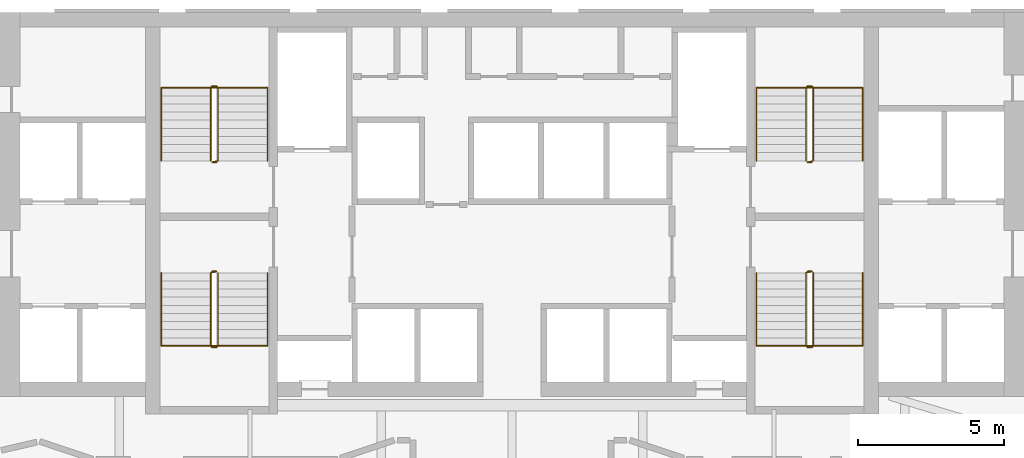
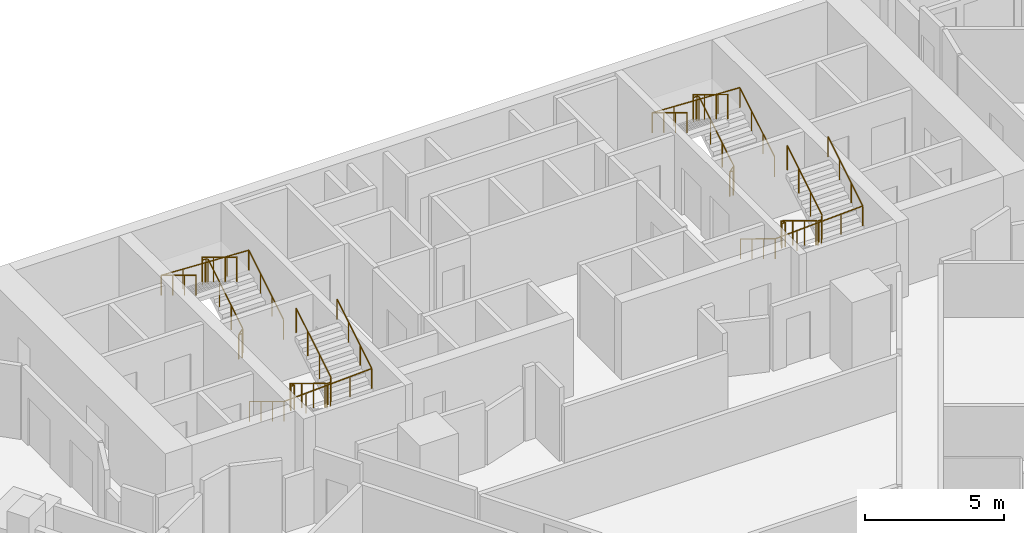
# One storey, part 10 of 10: 8 railings.
"""IFC4 building model written with IfcOpenShell, lengths in metres."""

from ifc_helpers import new_model, si_unit, direction, frame, origin, origin_2d, place, context, subcontext, project, spatial, circle, extrude, material, type_object, element, save


model = new_model("IFC4")

# Units and contexts
model_context = context("Model", 3, precision=1e-05, world=origin(), true_north=direction((0.0, 1.0)))
body_context = subcontext(model_context, "Body", "Model", "MODEL_VIEW")
ifc_project = project(units=[si_unit("LENGTHUNIT", "METRE"), si_unit("AREAUNIT", "SQUARE_METRE"), si_unit("VOLUMEUNIT", "CUBIC_METRE"), si_unit("PLANEANGLEUNIT", "RADIAN"), si_unit("MASSUNIT", "GRAM", prefix="KILO")], contexts=[model_context])

# Site, building, storey
site_placement = place(None, origin())
site = spatial("IfcSite", under=ifc_project, at=site_placement, CompositionType="ELEMENT")
building_placement = place(site_placement, origin())
building = spatial("IfcBuilding", under=site, at=building_placement, Name="Calabash Gate Tower", CompositionType="ELEMENT")
storey_placement = place(building_placement, frame((0.0, 0.0, 69.800048828125)))
storey = spatial("IfcBuildingStorey", under=building, at=storey_placement, Name="L13", CompositionType="ELEMENT", Elevation=69.800048828125)

# Railings
ifc_material_1 = material(Name="Black powder-coated steel balusters", Category="steel")
railing_type_1 = type_object("IfcRailingType", Name="Stair guard RL1100", PredefinedType="GUARDRAIL", material=ifc_material_1)
railing_1_placement = place(storey_placement, frame((-10.14990234375, 13.902587890625, 0.0)))
element("IfcRailing", 1, at=railing_1_placement, inside=storey, type_object=railing_type_1, Name="L13 ST1 stair guard 1", PredefinedType="GUARDRAIL", context=body_context, shape_type="SweptSolid", body=[
    extrude(circle(Radius=0.02392578125, at=origin_2d()), frame((0.0, 0.0, 1.076171875), z_axis=(-1.0, 0.0, 0.0), x_axis=(0.0, -1.0, 0.0)), (0.0, 0.0, 1.0), 0.150146484375),
    extrude(circle(Radius=0.02392578125, at=origin_2d()), frame((-0.150146484375, 0.0, 1.076171875), z_axis=(0.748514443355, 0.187357095101, 0.636100186295), x_axis=(-0.242814311512, 0.970072785993, 0.0)), (0.0, 0.0, 1.0), 0.26708984375),
    extrude(circle(Radius=0.02392578125, at=origin_2d()), frame((0.0498046875, 0.050048828125, 1.24609375), z_axis=(0.0, 0.853956361026, 0.520344629514), x_axis=(-1.0, 0.0, 0.0)), (0.0, 0.0, 1.0), 2.9404296875),
    extrude(circle(Radius=0.02392578125, at=origin_2d()), frame((0.0498046875, 2.56103515625, 2.77587890625), z_axis=(-0.705375805398, 0.708833529934, 0.0), x_axis=(-0.708833529934, -0.705375805398, 0.0)), (0.0, 0.0, 1.0), 0.070556640625),
    extrude(circle(Radius=0.02392578125, at=origin_2d()), frame((0.0, 2.611083984375, 2.77587890625), z_axis=(-1.0, 0.0, 0.0), x_axis=(0.0, -1.0, 0.0)), (0.0, 0.0, 1.0), 0.150146484375),
    extrude(circle(Radius=0.02392578125, at=origin_2d()), frame((-0.150146484375, 2.611083984375, 2.77587890625), z_axis=(-0.271895245746, -0.271895245746, 0.923117517265), x_axis=(0.707106781187, -0.707106781187, 0.0)), (0.0, 0.0, 1.0), 0.18408203125),
    extrude(circle(Radius=0.02392578125, at=origin_2d()), frame((-0.2001953125, 2.56103515625, 2.94580078125), z_axis=(0.0, -0.853956361026, 0.520344629514), x_axis=(1.0, 0.0, 0.0)), (0.0, 0.0, 1.0), 2.9404296875),
    extrude(circle(Radius=0.02099609375, at=origin_2d()), origin(), (0.0, 0.0, 1.0), 1.052001953125),
    extrude(circle(Radius=0.02099609375, at=origin_2d()), frame((-0.150146484375, 0.0, 0.0)), (0.0, 0.0, 1.0), 1.052001953125),
    extrude(circle(Radius=0.02099609375, at=origin_2d()), frame((0.0498046875, 0.050048828125, 0.169921875)), (0.0, 0.0, 1.0), 1.052001953125),
    extrude(circle(Radius=0.02099609375, at=origin_2d()), frame((0.0498046875, 0.886962890625, 0.679931640625)), (0.0, 0.0, 1.0), 1.052001953125),
    extrude(circle(Radius=0.02099609375, at=origin_2d()), frame((0.0498046875, 1.72412109375, 1.18994140625)), (0.0, 0.0, 1.0), 1.052001953125),
    extrude(circle(Radius=0.02099609375, at=origin_2d()), frame((0.0498046875, 2.56103515625, 1.699951171875)), (0.0, 0.0, 1.0), 1.052001953125),
    extrude(circle(Radius=0.02099609375, at=origin_2d()), frame((0.0, 2.611083984375, 1.699951171875)), (0.0, 0.0, 1.0), 1.052001953125),
    extrude(circle(Radius=0.02099609375, at=origin_2d()), frame((-0.150146484375, 2.611083984375, 1.699951171875)), (0.0, 0.0, 1.0), 1.052001953125),
    extrude(circle(Radius=0.02099609375, at=origin_2d()), frame((-0.2001953125, 2.56103515625, 1.869873046875)), (0.0, 0.0, 1.0), 1.052001953125),
    extrude(circle(Radius=0.02099609375, at=origin_2d()), frame((-0.2001953125, 1.72412109375, 2.3798828125)), (0.0, 0.0, 1.0), 1.052001953125),
    extrude(circle(Radius=0.02099609375, at=origin_2d()), frame((-0.2001953125, 0.886962890625, 2.889892578125)), (0.0, 0.0, 1.0), 1.052001953125),
    extrude(circle(Radius=0.02099609375, at=origin_2d()), frame((-0.2001953125, 0.050048828125, 3.39990234375)), (0.0, 0.0, 1.0), 1.052001953125),
])
railing_2_placement = place(storey_placement, frame((-10.300048828125, 10.152587890625, 0.0)))
element("IfcRailing", 2, at=railing_2_placement, inside=storey, type_object=railing_type_1, Name="L13 ST2 stair guard 1", PredefinedType="GUARDRAIL", context=body_context, shape_type="SweptSolid", body=[
    extrude(circle(Radius=0.02392578125, at=origin_2d()), frame((0.0, 0.0, 1.076171875), z_axis=(1.0, 0.0, 0.0), x_axis=(0.0, 1.0, 0.0)), (0.0, 0.0, 1.0), 0.150146484375),
    extrude(circle(Radius=0.02392578125, at=origin_2d()), frame((0.150146484375, 0.0, 1.076171875), z_axis=(-0.748915913269, -0.187228978317, 0.635665214189), x_axis=(0.242535625036, -0.970142500145, 0.0)), (0.0, 0.0, 1.0), 0.267333984375),
    extrude(circle(Radius=0.02392578125, at=origin_2d()), frame((-0.050048828125, -0.050048828125, 1.24609375), z_axis=(0.0, -0.853956361026, 0.520344629514), x_axis=(1.0, 0.0, 0.0)), (0.0, 0.0, 1.0), 2.9404296875),
    extrude(circle(Radius=0.02392578125, at=origin_2d()), frame((-0.050048828125, -2.56103515625, 2.77587890625), z_axis=(0.707106781187, -0.707106781187, 0.0), x_axis=(0.707106781187, 0.707106781187, 0.0)), (0.0, 0.0, 1.0), 0.07080078125),
    extrude(circle(Radius=0.02392578125, at=origin_2d()), frame((0.0, -2.611083984375, 2.77587890625), z_axis=(1.0, 0.0, 0.0), x_axis=(0.0, 1.0, 0.0)), (0.0, 0.0, 1.0), 0.150146484375),
    extrude(circle(Radius=0.02392578125, at=origin_2d()), frame((0.150146484375, -2.611083984375, 2.77587890625), z_axis=(0.270666314514, 0.271993110173, 0.92344977893), x_axis=(-0.708833529934, 0.705375805398, 0.0)), (0.0, 0.0, 1.0), 0.18408203125),
    extrude(circle(Radius=0.02392578125, at=origin_2d()), frame((0.199951171875, -2.56103515625, 2.94580078125), z_axis=(0.0, 0.853956361026, 0.520344629514), x_axis=(-1.0, 0.0, 0.0)), (0.0, 0.0, 1.0), 2.9404296875),
    extrude(circle(Radius=0.02099609375, at=origin_2d()), origin(), (0.0, 0.0, 1.0), 1.052001953125),
    extrude(circle(Radius=0.02099609375, at=origin_2d()), frame((0.150146484375, 0.0, 0.0)), (0.0, 0.0, 1.0), 1.052001953125),
    extrude(circle(Radius=0.02099609375, at=origin_2d()), frame((-0.050048828125, -0.050048828125, 0.169921875)), (0.0, 0.0, 1.0), 1.052001953125),
    extrude(circle(Radius=0.02099609375, at=origin_2d()), frame((-0.050048828125, -0.886962890625, 0.679931640625)), (0.0, 0.0, 1.0), 1.052001953125),
    extrude(circle(Radius=0.02099609375, at=origin_2d()), frame((-0.050048828125, -1.72412109375, 1.18994140625)), (0.0, 0.0, 1.0), 1.052001953125),
    extrude(circle(Radius=0.02099609375, at=origin_2d()), frame((-0.050048828125, -2.56103515625, 1.699951171875)), (0.0, 0.0, 1.0), 1.052001953125),
    extrude(circle(Radius=0.02099609375, at=origin_2d()), frame((0.0, -2.611083984375, 1.699951171875)), (0.0, 0.0, 1.0), 1.052001953125),
    extrude(circle(Radius=0.02099609375, at=origin_2d()), frame((0.150146484375, -2.611083984375, 1.699951171875)), (0.0, 0.0, 1.0), 1.052001953125),
    extrude(circle(Radius=0.02099609375, at=origin_2d()), frame((0.199951171875, -2.56103515625, 1.869873046875)), (0.0, 0.0, 1.0), 1.052001953125),
    extrude(circle(Radius=0.02099609375, at=origin_2d()), frame((0.199951171875, -1.72412109375, 2.3798828125)), (0.0, 0.0, 1.0), 1.052001953125),
    extrude(circle(Radius=0.02099609375, at=origin_2d()), frame((0.199951171875, -0.886962890625, 2.889892578125)), (0.0, 0.0, 1.0), 1.052001953125),
    extrude(circle(Radius=0.02099609375, at=origin_2d()), frame((0.199951171875, -0.050048828125, 3.39990234375)), (0.0, 0.0, 1.0), 1.052001953125),
])
railing_3_placement = place(storey_placement, frame((10.300048828125, 13.902587890625, 0.0)))
element("IfcRailing", 3, at=railing_3_placement, inside=storey, type_object=railing_type_1, Name="L13 ST3 stair guard 1", PredefinedType="GUARDRAIL", context=body_context, shape_type="SweptSolid", body=[
    extrude(circle(Radius=0.02392578125, at=origin_2d()), frame((0.0, 0.0, 1.076171875), z_axis=(-1.0, 0.0, 0.0), x_axis=(0.0, -1.0, 0.0)), (0.0, 0.0, 1.0), 0.150146484375),
    extrude(circle(Radius=0.02392578125, at=origin_2d()), frame((-0.150146484375, 0.0, 1.076171875), z_axis=(0.748915913269, 0.187228978317, 0.635665214189), x_axis=(-0.242535625036, 0.970142500145, 0.0)), (0.0, 0.0, 1.0), 0.267333984375),
    extrude(circle(Radius=0.02392578125, at=origin_2d()), frame((0.050048828125, 0.050048828125, 1.24609375), z_axis=(0.0, 0.853956361026, 0.520344629514), x_axis=(-1.0, 0.0, 0.0)), (0.0, 0.0, 1.0), 2.9404296875),
    extrude(circle(Radius=0.02392578125, at=origin_2d()), frame((0.050048828125, 2.56103515625, 2.77587890625), z_axis=(-0.707106781187, 0.707106781187, 0.0), x_axis=(-0.707106781187, -0.707106781187, 0.0)), (0.0, 0.0, 1.0), 0.07080078125),
    extrude(circle(Radius=0.02392578125, at=origin_2d()), frame((0.0, 2.611083984375, 2.77587890625), z_axis=(-1.0, 0.0, 0.0), x_axis=(0.0, -1.0, 0.0)), (0.0, 0.0, 1.0), 0.150146484375),
    extrude(circle(Radius=0.02392578125, at=origin_2d()), frame((-0.150146484375, 2.611083984375, 2.77587890625), z_axis=(-0.270666314514, -0.271993110173, 0.92344977893), x_axis=(0.708833529934, -0.705375805398, 0.0)), (0.0, 0.0, 1.0), 0.18408203125),
    extrude(circle(Radius=0.02392578125, at=origin_2d()), frame((-0.199951171875, 2.56103515625, 2.94580078125), z_axis=(0.0, -0.853956361026, 0.520344629514), x_axis=(1.0, 0.0, 0.0)), (0.0, 0.0, 1.0), 2.9404296875),
    extrude(circle(Radius=0.02099609375, at=origin_2d()), origin(), (0.0, 0.0, 1.0), 1.052001953125),
    extrude(circle(Radius=0.02099609375, at=origin_2d()), frame((-0.150146484375, 0.0, 0.0)), (0.0, 0.0, 1.0), 1.052001953125),
    extrude(circle(Radius=0.02099609375, at=origin_2d()), frame((0.050048828125, 0.050048828125, 0.169921875)), (0.0, 0.0, 1.0), 1.052001953125),
    extrude(circle(Radius=0.02099609375, at=origin_2d()), frame((0.050048828125, 0.886962890625, 0.679931640625)), (0.0, 0.0, 1.0), 1.052001953125),
    extrude(circle(Radius=0.02099609375, at=origin_2d()), frame((0.050048828125, 1.72412109375, 1.18994140625)), (0.0, 0.0, 1.0), 1.052001953125),
    extrude(circle(Radius=0.02099609375, at=origin_2d()), frame((0.050048828125, 2.56103515625, 1.699951171875)), (0.0, 0.0, 1.0), 1.052001953125),
    extrude(circle(Radius=0.02099609375, at=origin_2d()), frame((0.0, 2.611083984375, 1.699951171875)), (0.0, 0.0, 1.0), 1.052001953125),
    extrude(circle(Radius=0.02099609375, at=origin_2d()), frame((-0.150146484375, 2.611083984375, 1.699951171875)), (0.0, 0.0, 1.0), 1.052001953125),
    extrude(circle(Radius=0.02099609375, at=origin_2d()), frame((-0.199951171875, 2.56103515625, 1.869873046875)), (0.0, 0.0, 1.0), 1.052001953125),
    extrude(circle(Radius=0.02099609375, at=origin_2d()), frame((-0.199951171875, 1.72412109375, 2.3798828125)), (0.0, 0.0, 1.0), 1.052001953125),
    extrude(circle(Radius=0.02099609375, at=origin_2d()), frame((-0.199951171875, 0.886962890625, 2.889892578125)), (0.0, 0.0, 1.0), 1.052001953125),
    extrude(circle(Radius=0.02099609375, at=origin_2d()), frame((-0.199951171875, 0.050048828125, 3.39990234375)), (0.0, 0.0, 1.0), 1.052001953125),
])
railing_4_placement = place(storey_placement, frame((10.14990234375, 10.152587890625, 0.0)))
element("IfcRailing", 4, at=railing_4_placement, inside=storey, type_object=railing_type_1, Name="L13 ST4 stair guard 1", PredefinedType="GUARDRAIL", context=body_context, shape_type="SweptSolid", body=[
    extrude(circle(Radius=0.02392578125, at=origin_2d()), frame((0.0, 0.0, 1.076171875), z_axis=(1.0, 0.0, 0.0), x_axis=(0.0, 1.0, 0.0)), (0.0, 0.0, 1.0), 0.150146484375),
    extrude(circle(Radius=0.02392578125, at=origin_2d()), frame((0.150146484375, 0.0, 1.076171875), z_axis=(-0.748514443355, -0.187357095101, 0.636100186295), x_axis=(0.242814311512, -0.970072785993, 0.0)), (0.0, 0.0, 1.0), 0.26708984375),
    extrude(circle(Radius=0.02392578125, at=origin_2d()), frame((-0.0498046875, -0.050048828125, 1.24609375), z_axis=(0.0, -0.853956361026, 0.520344629514), x_axis=(1.0, 0.0, 0.0)), (0.0, 0.0, 1.0), 2.9404296875),
    extrude(circle(Radius=0.02392578125, at=origin_2d()), frame((-0.0498046875, -2.56103515625, 2.77587890625), z_axis=(0.705375805398, -0.708833529934, 0.0), x_axis=(0.708833529934, 0.705375805398, 0.0)), (0.0, 0.0, 1.0), 0.070556640625),
    extrude(circle(Radius=0.02392578125, at=origin_2d()), frame((0.0, -2.611083984375, 2.77587890625), z_axis=(1.0, 0.0, 0.0), x_axis=(0.0, 1.0, 0.0)), (0.0, 0.0, 1.0), 0.150146484375),
    extrude(circle(Radius=0.02392578125, at=origin_2d()), frame((0.150146484375, -2.611083984375, 2.77587890625), z_axis=(0.271895245746, 0.271895245746, 0.923117517265), x_axis=(-0.707106781187, 0.707106781187, 0.0)), (0.0, 0.0, 1.0), 0.18408203125),
    extrude(circle(Radius=0.02392578125, at=origin_2d()), frame((0.2001953125, -2.56103515625, 2.94580078125), z_axis=(0.0, 0.853956361026, 0.520344629514), x_axis=(-1.0, 0.0, 0.0)), (0.0, 0.0, 1.0), 2.9404296875),
    extrude(circle(Radius=0.02099609375, at=origin_2d()), origin(), (0.0, 0.0, 1.0), 1.052001953125),
    extrude(circle(Radius=0.02099609375, at=origin_2d()), frame((0.150146484375, 0.0, 0.0)), (0.0, 0.0, 1.0), 1.052001953125),
    extrude(circle(Radius=0.02099609375, at=origin_2d()), frame((-0.0498046875, -0.050048828125, 0.169921875)), (0.0, 0.0, 1.0), 1.052001953125),
    extrude(circle(Radius=0.02099609375, at=origin_2d()), frame((-0.0498046875, -0.886962890625, 0.679931640625)), (0.0, 0.0, 1.0), 1.052001953125),
    extrude(circle(Radius=0.02099609375, at=origin_2d()), frame((-0.0498046875, -1.72412109375, 1.18994140625)), (0.0, 0.0, 1.0), 1.052001953125),
    extrude(circle(Radius=0.02099609375, at=origin_2d()), frame((-0.0498046875, -2.56103515625, 1.699951171875)), (0.0, 0.0, 1.0), 1.052001953125),
    extrude(circle(Radius=0.02099609375, at=origin_2d()), frame((0.0, -2.611083984375, 1.699951171875)), (0.0, 0.0, 1.0), 1.052001953125),
    extrude(circle(Radius=0.02099609375, at=origin_2d()), frame((0.150146484375, -2.611083984375, 1.699951171875)), (0.0, 0.0, 1.0), 1.052001953125),
    extrude(circle(Radius=0.02099609375, at=origin_2d()), frame((0.2001953125, -2.56103515625, 1.869873046875)), (0.0, 0.0, 1.0), 1.052001953125),
    extrude(circle(Radius=0.02099609375, at=origin_2d()), frame((0.2001953125, -1.72412109375, 2.3798828125)), (0.0, 0.0, 1.0), 1.052001953125),
    extrude(circle(Radius=0.02099609375, at=origin_2d()), frame((0.2001953125, -0.886962890625, 2.889892578125)), (0.0, 0.0, 1.0), 1.052001953125),
    extrude(circle(Radius=0.02099609375, at=origin_2d()), frame((0.2001953125, -0.050048828125, 3.39990234375)), (0.0, 0.0, 1.0), 1.052001953125),
])
ifc_material_2 = material(Name="Black powder-coated steel tube 48 mm", Category="steel")
railing_type_2 = type_object("IfcRailingType", Name="Stair handrail RL900", PredefinedType="HANDRAIL", material=ifc_material_2)
railing_5_placement = place(storey_placement, frame((-8.39990234375, 13.95263671875, 0.169921875)))
element("IfcRailing", 5, at=railing_5_placement, inside=storey, type_object=railing_type_2, Name="L13 ST1 stair handrail 1", PredefinedType="HANDRAIL", context=body_context, shape_type="SweptSolid", body=[
    extrude(circle(Radius=0.02392578125, at=origin_2d()), frame((0.0, 0.0, 0.8759765625), z_axis=(0.0, 0.853956361026, 0.520344629514), x_axis=(-1.0, 0.0, 0.0)), (0.0, 0.0, 1.0), 2.9404296875),
    extrude(circle(Radius=0.02392578125, at=origin_2d()), frame((0.0, 2.510986328125, 2.40576171875), z_axis=(-0.998918210324, 0.0, 0.046501710547), x_axis=(0.0, -1.0, 0.0)), (0.0, 0.0, 1.0), 3.654052734375),
    extrude(circle(Radius=0.02392578125, at=origin_2d()), frame((-3.650146484375, 2.510986328125, 2.57568359375), z_axis=(0.0, -0.853956361026, 0.520344629514), x_axis=(1.0, 0.0, 0.0)), (0.0, 0.0, 1.0), 2.9404296875),
    extrude(circle(Radius=0.02099609375, at=origin_2d()), origin(), (0.0, 0.0, 1.0), 0.851806640625),
    extrude(circle(Radius=0.02099609375, at=origin_2d()), frame((0.0, 0.8369140625, 0.510009765625)), (0.0, 0.0, 1.0), 0.851806640625),
    extrude(circle(Radius=0.02099609375, at=origin_2d()), frame((0.0, 1.674072265625, 1.02001953125)), (0.0, 0.0, 1.0), 0.851806640625),
    extrude(circle(Radius=0.02099609375, at=origin_2d()), frame((0.0, 2.510986328125, 1.530029296875)), (0.0, 0.0, 1.0), 0.851806640625),
    extrude(circle(Radius=0.02099609375, at=origin_2d()), frame((-0.91259765625, 2.510986328125, 1.572509765625)), (0.0, 0.0, 1.0), 0.851806640625),
    extrude(circle(Radius=0.02099609375, at=origin_2d()), frame((-1.8251953125, 2.510986328125, 1.614990234375)), (0.0, 0.0, 1.0), 0.851806640625),
    extrude(circle(Radius=0.02099609375, at=origin_2d()), frame((-2.737548828125, 2.510986328125, 1.657470703125)), (0.0, 0.0, 1.0), 0.851806640625),
    extrude(circle(Radius=0.02099609375, at=origin_2d()), frame((-3.650146484375, 2.510986328125, 1.699951171875)), (0.0, 0.0, 1.0), 0.851806640625),
    extrude(circle(Radius=0.02099609375, at=origin_2d()), frame((-3.650146484375, 1.674072265625, 2.2099609375)), (0.0, 0.0, 1.0), 0.851806640625),
    extrude(circle(Radius=0.02099609375, at=origin_2d()), frame((-3.650146484375, 0.8369140625, 2.719970703125)), (0.0, 0.0, 1.0), 0.851806640625),
    extrude(circle(Radius=0.02099609375, at=origin_2d()), frame((-3.650146484375, 0.0, 3.22998046875)), (0.0, 0.0, 1.0), 0.851806640625),
])
railing_6_placement = place(storey_placement, frame((-12.050048828125, 10.1025390625, 0.169921875)))
element("IfcRailing", 6, at=railing_6_placement, inside=storey, type_object=railing_type_2, Name="L13 ST2 stair handrail 1", PredefinedType="HANDRAIL", context=body_context, shape_type="SweptSolid", body=[
    extrude(circle(Radius=0.02392578125, at=origin_2d()), frame((0.0, 0.0, 0.8759765625), z_axis=(0.0, -0.853956361026, 0.520344629514), x_axis=(1.0, 0.0, 0.0)), (0.0, 0.0, 1.0), 2.9404296875),
    extrude(circle(Radius=0.02392578125, at=origin_2d()), frame((0.0, -2.510986328125, 2.40576171875), z_axis=(0.998918210324, 0.0, 0.046501710547), x_axis=(0.0, 1.0, 0.0)), (0.0, 0.0, 1.0), 3.654052734375),
    extrude(circle(Radius=0.02392578125, at=origin_2d()), frame((3.650146484375, -2.510986328125, 2.57568359375), z_axis=(0.0, 0.853956361026, 0.520344629514), x_axis=(-1.0, 0.0, 0.0)), (0.0, 0.0, 1.0), 2.9404296875),
    extrude(circle(Radius=0.02099609375, at=origin_2d()), origin(), (0.0, 0.0, 1.0), 0.851806640625),
    extrude(circle(Radius=0.02099609375, at=origin_2d()), frame((0.0, -0.8369140625, 0.510009765625)), (0.0, 0.0, 1.0), 0.851806640625),
    extrude(circle(Radius=0.02099609375, at=origin_2d()), frame((0.0, -1.674072265625, 1.02001953125)), (0.0, 0.0, 1.0), 0.851806640625),
    extrude(circle(Radius=0.02099609375, at=origin_2d()), frame((0.0, -2.510986328125, 1.530029296875)), (0.0, 0.0, 1.0), 0.851806640625),
    extrude(circle(Radius=0.02099609375, at=origin_2d()), frame((0.91259765625, -2.510986328125, 1.572509765625)), (0.0, 0.0, 1.0), 0.851806640625),
    extrude(circle(Radius=0.02099609375, at=origin_2d()), frame((1.8251953125, -2.510986328125, 1.614990234375)), (0.0, 0.0, 1.0), 0.851806640625),
    extrude(circle(Radius=0.02099609375, at=origin_2d()), frame((2.737548828125, -2.510986328125, 1.657470703125)), (0.0, 0.0, 1.0), 0.851806640625),
    extrude(circle(Radius=0.02099609375, at=origin_2d()), frame((3.650146484375, -2.510986328125, 1.699951171875)), (0.0, 0.0, 1.0), 0.851806640625),
    extrude(circle(Radius=0.02099609375, at=origin_2d()), frame((3.650146484375, -1.674072265625, 2.2099609375)), (0.0, 0.0, 1.0), 0.851806640625),
    extrude(circle(Radius=0.02099609375, at=origin_2d()), frame((3.650146484375, -0.8369140625, 2.719970703125)), (0.0, 0.0, 1.0), 0.851806640625),
    extrude(circle(Radius=0.02099609375, at=origin_2d()), frame((3.650146484375, 0.0, 3.22998046875)), (0.0, 0.0, 1.0), 0.851806640625),
])
railing_7_placement = place(storey_placement, frame((12.050048828125, 13.95263671875, 0.169921875)))
element("IfcRailing", 7, at=railing_7_placement, inside=storey, type_object=railing_type_2, Name="L13 ST3 stair handrail 1", PredefinedType="HANDRAIL", context=body_context, shape_type="SweptSolid", body=[
    extrude(circle(Radius=0.02392578125, at=origin_2d()), frame((0.0, 0.0, 0.8759765625), z_axis=(0.0, 0.853956361026, 0.520344629514), x_axis=(-1.0, 0.0, 0.0)), (0.0, 0.0, 1.0), 2.9404296875),
    extrude(circle(Radius=0.02392578125, at=origin_2d()), frame((0.0, 2.510986328125, 2.40576171875), z_axis=(-0.998918210324, 0.0, 0.046501710547), x_axis=(0.0, -1.0, 0.0)), (0.0, 0.0, 1.0), 3.654052734375),
    extrude(circle(Radius=0.02392578125, at=origin_2d()), frame((-3.650146484375, 2.510986328125, 2.57568359375), z_axis=(0.0, -0.853956361026, 0.520344629514), x_axis=(1.0, 0.0, 0.0)), (0.0, 0.0, 1.0), 2.9404296875),
    extrude(circle(Radius=0.02099609375, at=origin_2d()), origin(), (0.0, 0.0, 1.0), 0.851806640625),
    extrude(circle(Radius=0.02099609375, at=origin_2d()), frame((0.0, 0.8369140625, 0.510009765625)), (0.0, 0.0, 1.0), 0.851806640625),
    extrude(circle(Radius=0.02099609375, at=origin_2d()), frame((0.0, 1.674072265625, 1.02001953125)), (0.0, 0.0, 1.0), 0.851806640625),
    extrude(circle(Radius=0.02099609375, at=origin_2d()), frame((0.0, 2.510986328125, 1.530029296875)), (0.0, 0.0, 1.0), 0.851806640625),
    extrude(circle(Radius=0.02099609375, at=origin_2d()), frame((-0.91259765625, 2.510986328125, 1.572509765625)), (0.0, 0.0, 1.0), 0.851806640625),
    extrude(circle(Radius=0.02099609375, at=origin_2d()), frame((-1.8251953125, 2.510986328125, 1.614990234375)), (0.0, 0.0, 1.0), 0.851806640625),
    extrude(circle(Radius=0.02099609375, at=origin_2d()), frame((-2.737548828125, 2.510986328125, 1.657470703125)), (0.0, 0.0, 1.0), 0.851806640625),
    extrude(circle(Radius=0.02099609375, at=origin_2d()), frame((-3.650146484375, 2.510986328125, 1.699951171875)), (0.0, 0.0, 1.0), 0.851806640625),
    extrude(circle(Radius=0.02099609375, at=origin_2d()), frame((-3.650146484375, 1.674072265625, 2.2099609375)), (0.0, 0.0, 1.0), 0.851806640625),
    extrude(circle(Radius=0.02099609375, at=origin_2d()), frame((-3.650146484375, 0.8369140625, 2.719970703125)), (0.0, 0.0, 1.0), 0.851806640625),
    extrude(circle(Radius=0.02099609375, at=origin_2d()), frame((-3.650146484375, 0.0, 3.22998046875)), (0.0, 0.0, 1.0), 0.851806640625),
])
railing_8_placement = place(storey_placement, frame((8.39990234375, 10.1025390625, 0.169921875)))
element("IfcRailing", 8, at=railing_8_placement, inside=storey, type_object=railing_type_2, Name="L13 ST4 stair handrail 1", PredefinedType="HANDRAIL", context=body_context, shape_type="SweptSolid", body=[
    extrude(circle(Radius=0.02392578125, at=origin_2d()), frame((0.0, 0.0, 0.8759765625), z_axis=(0.0, -0.853956361026, 0.520344629514), x_axis=(1.0, 0.0, 0.0)), (0.0, 0.0, 1.0), 2.9404296875),
    extrude(circle(Radius=0.02392578125, at=origin_2d()), frame((0.0, -2.510986328125, 2.40576171875), z_axis=(0.998918210324, 0.0, 0.046501710547), x_axis=(0.0, 1.0, 0.0)), (0.0, 0.0, 1.0), 3.654052734375),
    extrude(circle(Radius=0.02392578125, at=origin_2d()), frame((3.650146484375, -2.510986328125, 2.57568359375), z_axis=(0.0, 0.853956361026, 0.520344629514), x_axis=(-1.0, 0.0, 0.0)), (0.0, 0.0, 1.0), 2.9404296875),
    extrude(circle(Radius=0.02099609375, at=origin_2d()), origin(), (0.0, 0.0, 1.0), 0.851806640625),
    extrude(circle(Radius=0.02099609375, at=origin_2d()), frame((0.0, -0.8369140625, 0.510009765625)), (0.0, 0.0, 1.0), 0.851806640625),
    extrude(circle(Radius=0.02099609375, at=origin_2d()), frame((0.0, -1.674072265625, 1.02001953125)), (0.0, 0.0, 1.0), 0.851806640625),
    extrude(circle(Radius=0.02099609375, at=origin_2d()), frame((0.0, -2.510986328125, 1.530029296875)), (0.0, 0.0, 1.0), 0.851806640625),
    extrude(circle(Radius=0.02099609375, at=origin_2d()), frame((0.91259765625, -2.510986328125, 1.572509765625)), (0.0, 0.0, 1.0), 0.851806640625),
    extrude(circle(Radius=0.02099609375, at=origin_2d()), frame((1.8251953125, -2.510986328125, 1.614990234375)), (0.0, 0.0, 1.0), 0.851806640625),
    extrude(circle(Radius=0.02099609375, at=origin_2d()), frame((2.737548828125, -2.510986328125, 1.657470703125)), (0.0, 0.0, 1.0), 0.851806640625),
    extrude(circle(Radius=0.02099609375, at=origin_2d()), frame((3.650146484375, -2.510986328125, 1.699951171875)), (0.0, 0.0, 1.0), 0.851806640625),
    extrude(circle(Radius=0.02099609375, at=origin_2d()), frame((3.650146484375, -1.674072265625, 2.2099609375)), (0.0, 0.0, 1.0), 0.851806640625),
    extrude(circle(Radius=0.02099609375, at=origin_2d()), frame((3.650146484375, -0.8369140625, 2.719970703125)), (0.0, 0.0, 1.0), 0.851806640625),
    extrude(circle(Radius=0.02099609375, at=origin_2d()), frame((3.650146484375, 0.0, 3.22998046875)), (0.0, 0.0, 1.0), 0.851806640625),
])

save(model, "model.ifc")
